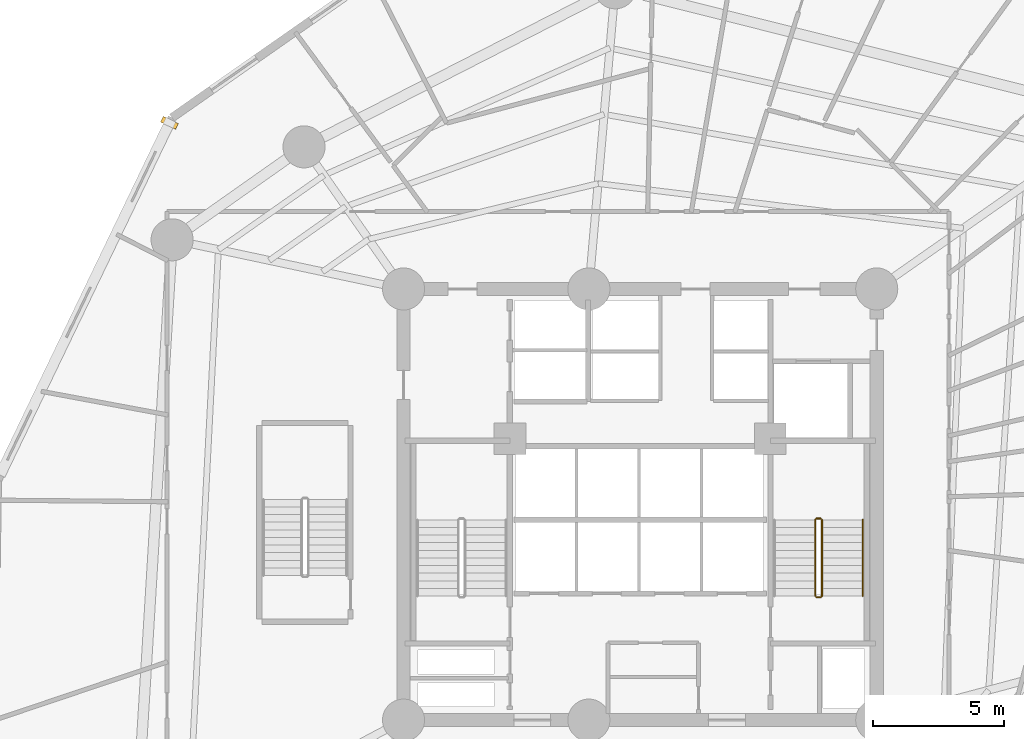
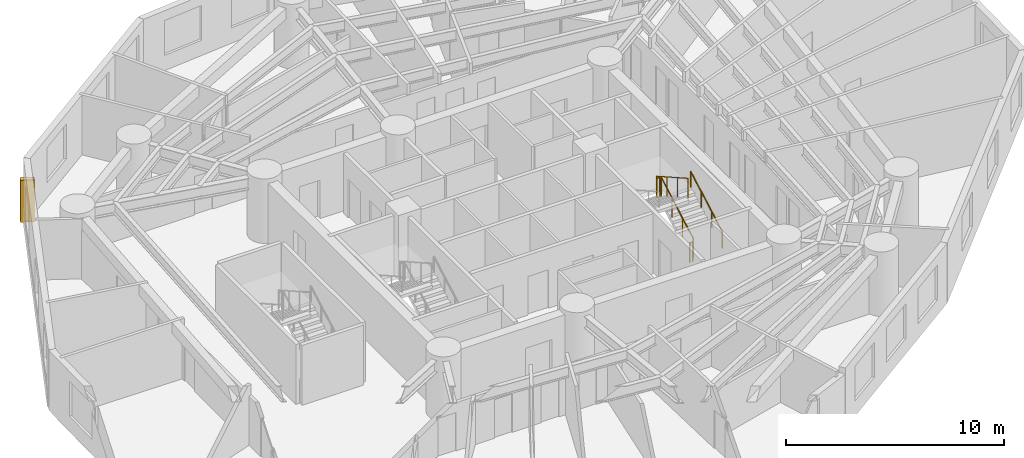
# One storey, part 10 of 11: 5 railings, 1 shading device.
"""IFC4 building model written with IfcOpenShell, lengths in metres."""

from ifc_helpers import new_model, si_unit, direction, frame, origin, origin_with_axes, origin_2d, place, context, subcontext, project, spatial, rectangle, circle, extrude, source, transform, mapped, material, layer, layer_set, type_object, element, save


model = new_model("IFC4")

# Units and contexts
model_context = context("Model", 3, precision=1e-05, world=origin(), true_north=direction((0.0, 1.0)))
body_context = subcontext(model_context, "Body", "Model", "MODEL_VIEW")
ifc_project = project(units=[si_unit("LENGTHUNIT", "METRE"), si_unit("AREAUNIT", "SQUARE_METRE"), si_unit("VOLUMEUNIT", "CUBIC_METRE"), si_unit("PLANEANGLEUNIT", "RADIAN"), si_unit("MASSUNIT", "GRAM", prefix="KILO")], contexts=[model_context])

# Site, building, storey
site_placement = place(None, origin())
site = spatial("IfcSite", under=ifc_project, at=site_placement, CompositionType="ELEMENT")
building_placement = place(site_placement, origin())
building = spatial("IfcBuilding", under=site, at=building_placement, Name="Karkom Vertical University and Central Library", CompositionType="ELEMENT")
storey_placement = place(building_placement, frame((0.0, 0.0, 44.5)))
storey = spatial("IfcBuildingStorey", under=building, at=storey_placement, Name="L11", CompositionType="ELEMENT", Elevation=44.5)

# Railings
ifc_material_1 = material(Name="Painted galvanised steel balustrade", Category="steel")
ifc_layer_1 = layer(ifc_material_1, 0.06005859375)
ifc_layer_set_1 = layer_set([ifc_layer_1], Name="Painted galvanised steel balustrade")
railing_type_1 = type_object("IfcRailingType", Name="INT-RL-GUARD1100", PredefinedType="GUARDRAIL", material=ifc_layer_set_1)
railing_1_placement = place(storey_placement, frame((35.419921875, 23.02001953125, 0.16357421875)))
element("IfcRailing", 1, at=railing_1_placement, inside=storey, type_object=railing_type_1, Name="Level 11 ST-2 stair guard 1", PredefinedType="GUARDRAIL", context=body_context, shape_type="SweptSolid", body=[
    extrude(circle(Radius=0.02392578125, at=origin_2d()), frame((0.0, 0.0, 1.076171875), z_axis=(0.0, 0.870897200241, 0.491465224214), x_axis=(-1.0, 0.0, 0.0)), (0.0, 0.0, 1.0), 3.329833984375),
    extrude(circle(Radius=0.02099609375, at=origin_2d()), origin(), (0.0, 0.0, 1.0), 1.052001953125),
    extrude(circle(Radius=0.02099609375, at=origin_2d()), frame((0.0, 0.966552734375, 0.54541015625)), (0.0, 0.0, 1.0), 1.052001953125),
    extrude(circle(Radius=0.02099609375, at=origin_2d()), frame((0.0, 1.933349609375, 1.091064453125)), (0.0, 0.0, 1.0), 1.052001953125),
    extrude(circle(Radius=0.02099609375, at=origin_2d()), frame((0.0, 2.89990234375, 1.636474609375)), (0.0, 0.0, 1.0), 1.052001953125),
])
railing_2_placement = place(storey_placement, frame((35.3701171875, 25.969970703125, 1.800048828125)))
element("IfcRailing", 2, at=railing_2_placement, inside=storey, type_object=railing_type_1, Name="Level 11 ST-2 stair guard 2", PredefinedType="GUARDRAIL", context=body_context, shape_type="SweptSolid", body=[
    extrude(circle(Radius=0.02392578125, at=origin_2d()), frame((0.0, 0.0, 1.076171875), z_axis=(-1.0, 0.0, 0.0), x_axis=(0.0, -1.0, 0.0)), (0.0, 0.0, 1.0), 0.16015625),
    extrude(circle(Radius=0.02099609375, at=origin_2d()), origin(), (0.0, 0.0, 1.0), 1.052001953125),
    extrude(circle(Radius=0.02099609375, at=origin_2d()), frame((-0.16015625, 0.0, 0.0)), (0.0, 0.0, 1.0), 1.052001953125),
])
railing_3_placement = place(storey_placement, frame((35.159912109375, 25.919921875, 1.963623046875)))
element("IfcRailing", 3, at=railing_3_placement, inside=storey, type_object=railing_type_1, Name="Level 11 ST-2 stair guard 3", PredefinedType="GUARDRAIL", context=body_context, shape_type="SweptSolid", body=[
    extrude(circle(Radius=0.02392578125, at=origin_2d()), frame((0.0, 0.0, 1.076171875), z_axis=(0.0, -0.870897200241, 0.491465224214), x_axis=(1.0, 0.0, 0.0)), (0.0, 0.0, 1.0), 3.329833984375),
    extrude(circle(Radius=0.02099609375, at=origin_2d()), origin(), (0.0, 0.0, 1.0), 1.052001953125),
    extrude(circle(Radius=0.02099609375, at=origin_2d()), frame((0.0, -0.966552734375, 0.54541015625)), (0.0, 0.0, 1.0), 1.052001953125),
    extrude(circle(Radius=0.02099609375, at=origin_2d()), frame((0.0, -1.933349609375, 1.091064453125)), (0.0, 0.0, 1.0), 1.052001953125),
    extrude(circle(Radius=0.02099609375, at=origin_2d()), frame((0.0, -2.89990234375, 1.636474609375)), (0.0, 0.0, 1.0), 1.052001953125),
])
railing_4_placement = place(storey_placement, frame((35.3701171875, 22.969970703125, 0.0)))
element("IfcRailing", 4, at=railing_4_placement, inside=storey, type_object=railing_type_1, Name="Level 11 ST-2 stair guard 4", PredefinedType="GUARDRAIL", context=body_context, shape_type="SweptSolid", body=[
    extrude(circle(Radius=0.02392578125, at=origin_2d()), frame((0.0, 0.0, 1.076171875), z_axis=(-1.0, 0.0, 0.0), x_axis=(0.0, -1.0, 0.0)), (0.0, 0.0, 1.0), 0.16015625),
    extrude(circle(Radius=0.02099609375, at=origin_2d()), origin(), (0.0, 0.0, 1.0), 1.052001953125),
    extrude(circle(Radius=0.02099609375, at=origin_2d()), frame((-0.16015625, 0.0, 0.0)), (0.0, 0.0, 1.0), 1.052001953125),
])
ifc_material_2 = material(Name="Brushed stainless-steel tubular handrail", Category="steel")
ifc_layer_2 = layer(ifc_material_2, 0.048095703125)
ifc_layer_set_2 = layer_set([ifc_layer_2], Name="Brushed stainless-steel tubular handrail")
railing_type_2 = type_object("IfcRailingType", Name="INT-RL-HAND920", PredefinedType="HANDRAIL", material=ifc_layer_set_2)
railing_5_placement = place(storey_placement, frame((36.969970703125, 23.02001953125, 0.16357421875)))
element("IfcRailing", 5, at=railing_5_placement, inside=storey, type_object=railing_type_2, Name="Level 11 ST-2 stair handrail 1", PredefinedType="HANDRAIL", context=body_context, shape_type="SweptSolid", body=[
    extrude(circle(Radius=0.02392578125, at=origin_2d()), frame((0.0, 0.0, 0.8759765625), z_axis=(0.0, 0.870897200241, 0.491465224214), x_axis=(-1.0, 0.0, 0.0)), (0.0, 0.0, 1.0), 3.329833984375),
    extrude(circle(Radius=0.02099609375, at=origin_2d()), origin(), (0.0, 0.0, 1.0), 0.851806640625),
    extrude(circle(Radius=0.02099609375, at=origin_2d()), frame((0.0, 0.966552734375, 0.54541015625)), (0.0, 0.0, 1.0), 0.851806640625),
    extrude(circle(Radius=0.02099609375, at=origin_2d()), frame((0.0, 1.933349609375, 1.091064453125)), (0.0, 0.0, 1.0), 0.851806640625),
    extrude(circle(Radius=0.02099609375, at=origin_2d()), frame((0.0, 2.89990234375, 1.636474609375)), (0.0, 0.0, 1.0), 0.851806640625),
])

# Shading device
ifc_material_3 = material(Name="Terracotta-clad precast concrete sun-breaker fin C45/55", Category="masonry")
shading_device_type = type_object("IfcShadingDeviceType", Name="ENV-SHD-BRISE", PredefinedType="USERDEFINED", material=ifc_material_3)
shared_shape = source(origin_with_axes(), body_context, "Body", "SweptSolid", [
    extrude(rectangle(XDim=0.239990234375, YDim=0.639892578125, at=origin_2d()), origin(), (0.0, 0.0, 1.0), 2.35009765625),
])
shading_device_placement = place(storey_placement, frame((10.59814453125, 41.0205078125, 0.0), z_axis=(0.0, 0.0, 1.0), x_axis=(-0.433501810375, -0.901152695386, 0.0)))
element("IfcShadingDevice", 6, at=shading_device_placement, inside=storey, type_object=shading_device_type, Name="Level 11 Brutalist Brise-Soleil Fin 01", ObjectType="BRISE SOLEIL", PredefinedType="USERDEFINED", context=body_context, shape_type="MappedRepresentation", body=[
    mapped(shared_shape, transform((0.0, 0.0, 0.0), scale=1.0)),
])

save(model, "model.ifc")
